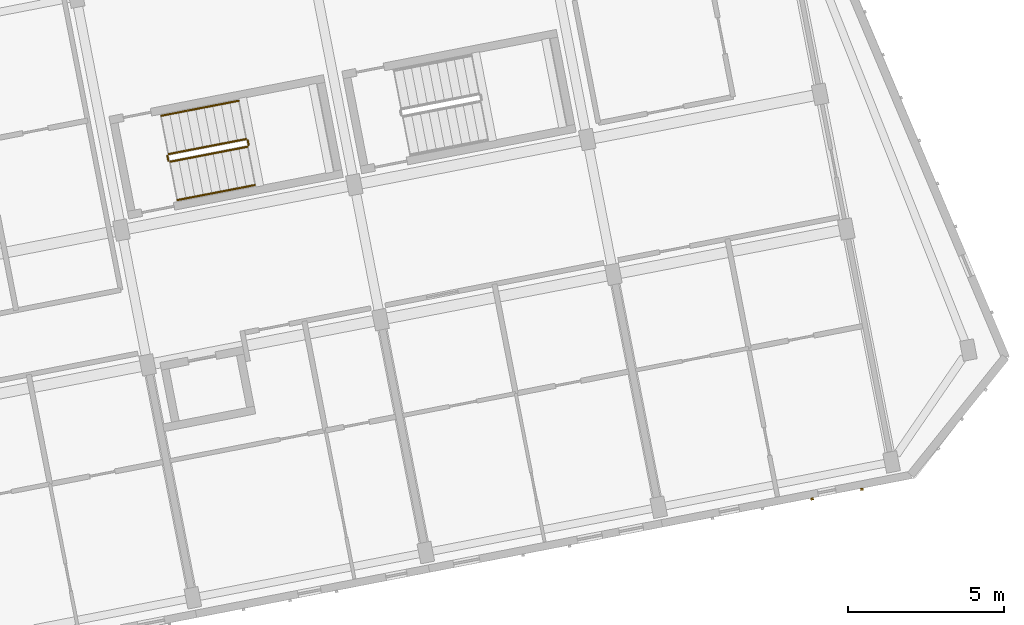
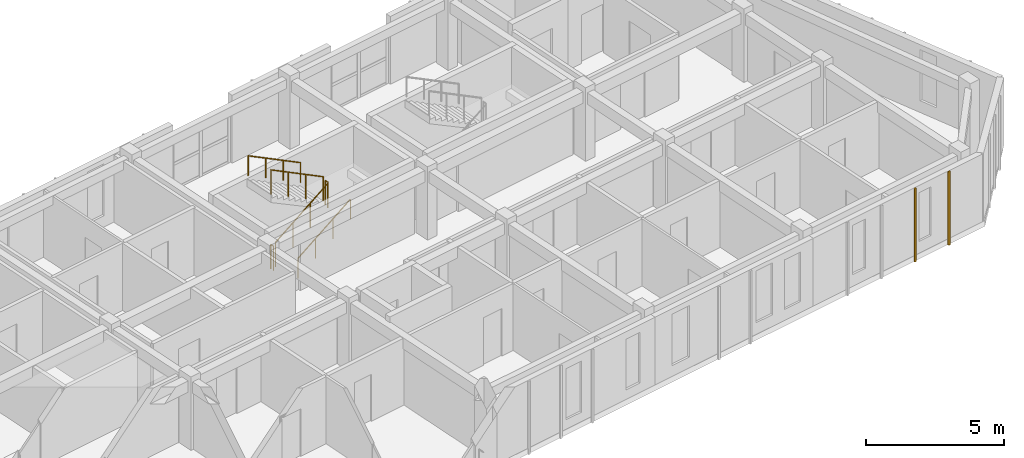
# One storey, part 59 of 65: 6 railings, 2 coverings.
"""IFC4 building model written with IfcOpenShell, lengths in metres."""

from ifc_helpers import new_model, si_unit, direction, frame, origin, origin_2d, place, context, subcontext, project, spatial, rectangle, circle, extrude, material, layer, layer_set, type_object, element, save


model = new_model("IFC4")

# Units and contexts
model_context = context("Model", 3, precision=1e-05, world=origin(), true_north=direction((0.0, 1.0)))
body_context = subcontext(model_context, "Body", "Model", "MODEL_VIEW")
ifc_project = project(units=[si_unit("LENGTHUNIT", "METRE"), si_unit("AREAUNIT", "SQUARE_METRE"), si_unit("VOLUMEUNIT", "CUBIC_METRE"), si_unit("PLANEANGLEUNIT", "RADIAN"), si_unit("MASSUNIT", "GRAM", prefix="KILO")], contexts=[model_context])

# Site, building, storey
site_placement = place(None, origin())
site = spatial("IfcSite", under=ifc_project, at=site_placement, CompositionType="ELEMENT")
building_placement = place(site_placement, origin())
building = spatial("IfcBuilding", under=site, at=building_placement, Name="Kestramere Prow Commons", CompositionType="ELEMENT")
storey_placement = place(building_placement, frame((0.0, 0.0, 21.39990234375)))
storey = spatial("IfcBuildingStorey", under=building, at=storey_placement, Name="L06", CompositionType="ELEMENT", Elevation=21.39990234375)

# Coverings
ifc_material_1 = material(Name="Weathered Zinc-Titanium Standing-Seam Cladding")
ifc_layer = layer(ifc_material_1, 0.074951171875)
ifc_layer_set = layer_set([ifc_layer], Name="Weathered Zinc-Titanium Standing-Seam Cladding")
covering_type = type_object("IfcCoveringType", Name="COV-CLAD-SEAM", PredefinedType="CLADDING", material=ifc_layer_set)
for number, where, z_axis, x_axis, name in (
    (1, (162.211669921875, 41.825927734375, -0.25), (0.0, 0.0, 1.0), (-0.981627183448, -0.190808995377, 0.0), "EW-D-L06-S-5 Standing-Seam Rib 1"),
    (2, (160.616455078125, 41.515869140625, -0.25), (0.0, 0.0, 1.0), (-0.981627183448, -0.190808995377, 0.0), "EW-D-L06-S-5 Standing-Seam Rib 2"),
):
    element("IfcCovering", number, at=place(storey_placement, frame(where, z_axis=z_axis, x_axis=x_axis)), inside=storey, type_object=covering_type, Name=name, PredefinedType="CLADDING", context=body_context, shape_type="SweptSolid", body=[
        extrude(rectangle(XDim=0.0849609375, YDim=0.06494140625, at=origin_2d()), origin(), (0.0, 0.0, 1.0), 3.25),
    ])

# Railings
ifc_material_2 = material(Name="Galvanised Steel S275JR", Category="steel")
railing_type_1 = type_object("IfcRailingType", Name="RL-ST-GR-1100", PredefinedType="GUARDRAIL", material=ifc_material_2)
railing_1_placement = place(storey_placement, frame((140.052490234375, 52.318115234375, 0.16259765625)))
element("IfcRailing", 3, at=railing_1_placement, inside=storey, type_object=railing_type_1, Name="L06 ST-D1 stair guard 1", PredefinedType="GUARDRAIL", context=body_context, shape_type="SweptSolid", body=[
    extrude(circle(Radius=0.02392578125, at=origin_2d()), frame((0.0, 0.0, 1.076171875), z_axis=(0.849043739131, 0.164982445707, 0.501901904411), x_axis=(-0.190747789018, 0.981639078778, 0.0)), (0.0, 0.0, 1.0), 2.913818359375),
    extrude(circle(Radius=0.02099609375, at=origin_2d()), origin(), (0.0, 0.0, 1.0), 1.052001953125),
    extrude(circle(Radius=0.02099609375, at=origin_2d()), frame((0.82470703125, 0.16015625, 0.487548828125)), (0.0, 0.0, 1.0), 1.052001953125),
    extrude(circle(Radius=0.02099609375, at=origin_2d()), frame((1.649169921875, 0.320556640625, 0.974853515625)), (0.0, 0.0, 1.0), 1.052001953125),
    extrude(circle(Radius=0.02099609375, at=origin_2d()), frame((2.473876953125, 0.480712890625, 1.46240234375)), (0.0, 0.0, 1.0), 1.052001953125),
])
railing_2_placement = place(storey_placement, frame((142.56591796875, 52.857421875, 1.625)))
element("IfcRailing", 4, at=railing_2_placement, inside=storey, type_object=railing_type_1, Name="L06 ST-D1 stair guard 2", PredefinedType="GUARDRAIL", context=body_context, shape_type="SweptSolid", body=[
    extrude(circle(Radius=0.02392578125, at=origin_2d()), frame((0.0, 0.0, 1.076171875), z_axis=(-0.191739424664, 0.981445868619, 0.0), x_axis=(-0.981445868619, -0.191739424664, 0.0)), (0.0, 0.0, 1.0), 0.150146484375),
    extrude(circle(Radius=0.02099609375, at=origin_2d()), origin(), (0.0, 0.0, 1.0), 1.052001953125),
    extrude(circle(Radius=0.02099609375, at=origin_2d()), frame((-0.02880859375, 0.1474609375, 0.0)), (0.0, 0.0, 1.0), 1.052001953125),
])
railing_3_placement = place(storey_placement, frame((142.478515625, 53.044189453125, 1.78759765625)))
element("IfcRailing", 5, at=railing_3_placement, inside=storey, type_object=railing_type_1, Name="L06 ST-D1 stair guard 3", PredefinedType="GUARDRAIL", context=body_context, shape_type="SweptSolid", body=[
    extrude(circle(Radius=0.02392578125, at=origin_2d()), frame((0.0, 0.0, 1.076171875), z_axis=(-0.849020348783, -0.164994183454, 0.501937612437), x_axis=(0.190765930203, -0.981635553489, 0.0)), (0.0, 0.0, 1.0), 2.91357421875),
    extrude(circle(Radius=0.02099609375, at=origin_2d()), origin(), (0.0, 0.0, 1.0), 1.052001953125),
    extrude(circle(Radius=0.02099609375, at=origin_2d()), frame((-0.824462890625, -0.16015625, 0.487548828125)), (0.0, 0.0, 1.0), 1.052001953125),
    extrude(circle(Radius=0.02099609375, at=origin_2d()), frame((-1.649169921875, -0.320556640625, 0.974853515625)), (0.0, 0.0, 1.0), 1.052001953125),
    extrude(circle(Radius=0.02099609375, at=origin_2d()), frame((-2.4736328125, -0.480712890625, 1.46240234375)), (0.0, 0.0, 1.0), 1.052001953125),
])
railing_4_placement = place(storey_placement, frame((139.993896484375, 52.357666015625, 0.0)))
element("IfcRailing", 6, at=railing_4_placement, inside=storey, type_object=railing_type_1, Name="L06 ST-D1 stair guard 4", PredefinedType="GUARDRAIL", context=body_context, shape_type="SweptSolid", body=[
    extrude(circle(Radius=0.02392578125, at=origin_2d()), frame((0.0, 0.0, 1.076171875), z_axis=(-0.190477468355, 0.981691567677, 0.0), x_axis=(-0.981691567677, -0.190477468355, 0.0)), (0.0, 0.0, 1.0), 0.14990234375),
    extrude(circle(Radius=0.02099609375, at=origin_2d()), origin(), (0.0, 0.0, 1.0), 1.052001953125),
    extrude(circle(Radius=0.02099609375, at=origin_2d()), frame((-0.028564453125, 0.147216796875, 0.0)), (0.0, 0.0, 1.0), 1.052001953125),
])
ifc_material_3 = material(Name="Stainless Steel 304", Category="steel")
railing_type_2 = type_object("IfcRailingType", Name="RL-ST-HR-900", PredefinedType="HANDRAIL", material=ifc_material_3)
railing_5_placement = place(storey_placement, frame((140.291015625, 51.091064453125, 0.3251953125)))
element("IfcRailing", 7, at=railing_5_placement, inside=storey, type_object=railing_type_2, Name="L06 ST-D1 stair handrail 1", PredefinedType="HANDRAIL", context=body_context, shape_type="SweptSolid", body=[
    extrude(circle(Radius=0.02392578125, at=origin_2d()), frame((0.0, 0.0, 0.8759765625), z_axis=(0.849043739131, 0.164982445707, 0.501901904411), x_axis=(-0.190747789018, 0.981639078778, 0.0)), (0.0, 0.0, 1.0), 2.913818359375),
    extrude(circle(Radius=0.02099609375, at=origin_2d()), origin(), (0.0, 0.0, 1.0), 0.851806640625),
    extrude(circle(Radius=0.02099609375, at=origin_2d()), frame((0.82470703125, 0.16015625, 0.487548828125)), (0.0, 0.0, 1.0), 0.851806640625),
    extrude(circle(Radius=0.02099609375, at=origin_2d()), frame((1.649169921875, 0.320556640625, 0.974853515625)), (0.0, 0.0, 1.0), 0.851806640625),
    extrude(circle(Radius=0.02099609375, at=origin_2d()), frame((2.473876953125, 0.480712890625, 1.46240234375)), (0.0, 0.0, 1.0), 0.851806640625),
])
railing_6_placement = place(storey_placement, frame((142.239990234375, 54.271240234375, 1.9501953125)))
element("IfcRailing", 8, at=railing_6_placement, inside=storey, type_object=railing_type_2, Name="L06 ST-D1 stair handrail 2", PredefinedType="HANDRAIL", context=body_context, shape_type="SweptSolid", body=[
    extrude(circle(Radius=0.02392578125, at=origin_2d()), frame((0.0, 0.0, 0.8759765625), z_axis=(-0.849020348783, -0.164994183454, 0.501937612437), x_axis=(0.190765930203, -0.981635553489, 0.0)), (0.0, 0.0, 1.0), 2.91357421875),
    extrude(circle(Radius=0.02099609375, at=origin_2d()), origin(), (0.0, 0.0, 1.0), 0.851806640625),
    extrude(circle(Radius=0.02099609375, at=origin_2d()), frame((-0.824462890625, -0.16015625, 0.487548828125)), (0.0, 0.0, 1.0), 0.851806640625),
    extrude(circle(Radius=0.02099609375, at=origin_2d()), frame((-1.649169921875, -0.320556640625, 0.974853515625)), (0.0, 0.0, 1.0), 0.851806640625),
    extrude(circle(Radius=0.02099609375, at=origin_2d()), frame((-2.4736328125, -0.480712890625, 1.46240234375)), (0.0, 0.0, 1.0), 0.851806640625),
])

save(model, "model.ifc")
